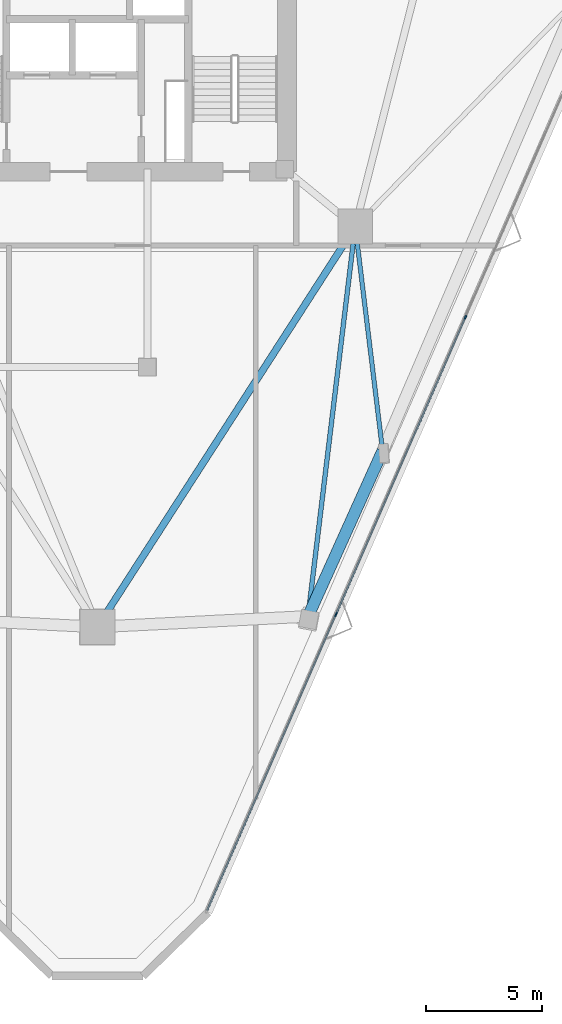
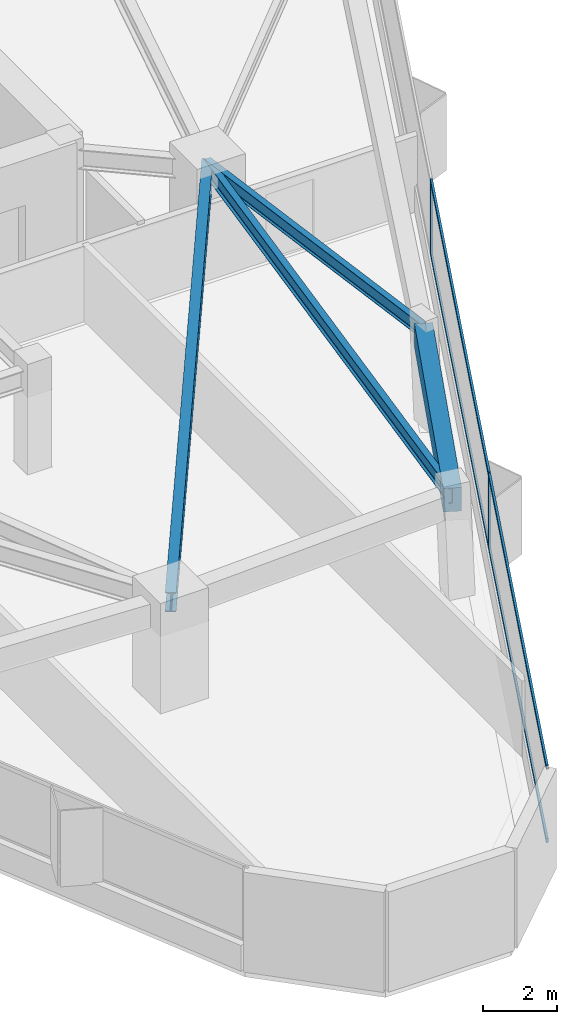
# One storey, part 4 of 13: 6 members, 4 beams, 1 element without a shape of its own.
"""IFC4 building model written with IfcOpenShell, lengths in metres."""

import ifcopenshell
import ifcopenshell.guid

model = None  # the IFC model being written
_history = None  # IfcOwnerHistory: only IFC2X3 demands one
_inside = {}  # id of a spatial element -> (the spatial element, [elements in it])
_under = {}  # id of a project, library or spatial element -> (it, [spatial elements below it])
_declared = {}  # id of a project -> (the project, [libraries it declares])
_typed = {}  # id of a type object -> (the type object, [elements of that type])
_made_of = {}  # id of a material, layer set ... -> (it, [elements and type objects made of it])


def new_model(schema):
    """Start an empty IFC model of exactly this schema.

    Asked for "IFC4X3", IfcOpenShell would pick the latest addendum, in which some entities
    have other attributes; the version numbers below select the first issue.
    IFC2X3 requires an IfcOwnerHistory on every rooted entity: one is made here for all.
    """
    global model, _history
    if schema == "IFC4X3":
        model = ifcopenshell.file(schema_version=(4, 3, 0, 0))
    else:
        model = ifcopenshell.file(schema=schema)
    _inside.clear()
    _under.clear()
    _declared.clear()
    _typed.clear()
    _made_of.clear()
    _history = None
    if model.schema == "IFC2X3":
        org = make("IfcOrganization", Name="unknown")
        user = make(
            "IfcPersonAndOrganization",
            ThePerson=make("IfcPerson", FamilyName="unknown"),
            TheOrganization=org,
        )
        app = make(
            "IfcApplication",
            ApplicationDeveloper=org,
            Version="unknown",
            ApplicationFullName="unknown",
            ApplicationIdentifier="unknown",
        )
        _history = make(
            "IfcOwnerHistory",
            OwningUser=user,
            OwningApplication=app,
            ChangeAction="ADDED",
            CreationDate=0,
        )
    return model


def make(cls, **values):
    """One entity of the class cls with the attributes given. An attribute that is None is left unset."""
    return model.create_entity(
        cls, **{name: value for name, value in values.items() if value is not None}
    )


def rooted(cls, **values):
    """An entity with a GlobalId (a new one), such as an element, a storey or a relation."""
    return make(cls, GlobalId=ifcopenshell.guid.new(), OwnerHistory=_history, **values)


def si_unit(unit_type, name, prefix=None):
    """IfcSIUnit, for example si_unit("LENGTHUNIT", "METRE", prefix="MILLI")."""
    return make("IfcSIUnit", UnitType=unit_type, Prefix=prefix, Name=name)


def assignment(units):
    """IfcUnitAssignment: the units of a project."""
    return None if units is None else make("IfcUnitAssignment", Units=units)


def point(xyz):
    """IfcCartesianPoint."""
    return None if xyz is None else make("IfcCartesianPoint", Coordinates=xyz)


def direction(xyz):
    """IfcDirection."""
    return None if xyz is None else make("IfcDirection", DirectionRatios=xyz)


def frame(location, z_axis=None, x_axis=None):
    """IfcAxis2Placement3D, a coordinate frame: its origin and axes. An axis left out is left unset."""
    return make(
        "IfcAxis2Placement3D",
        Location=point(location),
        Axis=direction(z_axis),
        RefDirection=direction(x_axis),
    )


def frame_2d(location, x_axis=None):
    """IfcAxis2Placement2D, a coordinate frame in the plane: its origin and x axis."""
    return make(
        "IfcAxis2Placement2D", Location=point(location), RefDirection=direction(x_axis)
    )


def origin():
    """The frame at (0, 0, 0) with its axes left unset."""
    return frame((0.0, 0.0, 0.0))


def origin_2d():
    """The frame at (0, 0) in the plane with its x axis left unset."""
    return frame_2d((0.0, 0.0))


def place(relative_to, where):
    """IfcLocalPlacement: puts the frame where relative to a parent placement (None: the world)."""
    return make(
        "IfcLocalPlacement", PlacementRelTo=relative_to, RelativePlacement=where
    )


def context(
    kind, dimensions, precision=None, world=None, true_north=None, identifier=None
):
    """IfcGeometricRepresentationContext, for example the 3D "Model" context."""
    return make(
        "IfcGeometricRepresentationContext",
        ContextIdentifier=identifier,
        ContextType=kind,
        CoordinateSpaceDimension=dimensions,
        Precision=precision,
        WorldCoordinateSystem=world,
        TrueNorth=true_north,
    )


def subcontext(parent, identifier, kind, view, scale=None):
    """IfcGeometricRepresentationSubContext, for example "Body" below "Model"."""
    return make(
        "IfcGeometricRepresentationSubContext",
        ContextIdentifier=identifier,
        ContextType=kind,
        ParentContext=parent,
        TargetScale=scale,
        TargetView=view,
    )


def project(units=None, contexts=None):
    """IfcProject with its units and contexts."""
    return rooted(
        "IfcProject",
        Name="project",
        RepresentationContexts=contexts,
        UnitsInContext=assignment(units),
    )


def spatial(cls, under=None, at=None, **own):
    """A site, building, storey or space (cls), placed at a placement, below another one or the project."""
    s = rooted(cls, ObjectPlacement=at, **own)
    if under is not None:
        _under.setdefault(under.id(), (under, []))[1].append(s)
    return s


def profile(cls, at=None, kind="AREA", **sizes):
    """A parametric profile (cls). Its sizes go by their IFC names, for example OverallWidth=200.0."""
    return make(cls, ProfileType=kind, Position=at, **sizes)


def rectangle(**sizes):
    """IfcRectangleProfileDef."""
    return profile("IfcRectangleProfileDef", **sizes)


def i_section(**sizes):
    """IfcIShapeProfileDef."""
    return profile("IfcIShapeProfileDef", **sizes)


def extrude(swept, where, along, depth):
    """IfcExtrudedAreaSolid: the profile swept, set in the frame where, extruded along a direction by depth."""
    return make(
        "IfcExtrudedAreaSolid",
        SweptArea=swept,
        Position=where,
        ExtrudedDirection=direction(along),
        Depth=depth,
    )


def shape(context_of_items, identifier, shape_type, items):
    """IfcShapeRepresentation: the items that make up one representation, for example the "Body"."""
    return make(
        "IfcShapeRepresentation",
        ContextOfItems=context_of_items,
        RepresentationIdentifier=identifier,
        RepresentationType=shape_type,
        Items=items,
    )


def material(Name=None, Category=None):
    """IfcMaterial."""
    return make("IfcMaterial", Name=Name, Category=Category)


def layer(
    of_material, thickness, ventilated=None, Name=None, Category=None, Priority=None
):
    """IfcMaterialLayer: one layer of a wall or slab, of a material (None: an air gap)."""
    return make(
        "IfcMaterialLayer",
        Material=of_material,
        LayerThickness=thickness,
        IsVentilated=ventilated,
        Name=Name,
        Category=Category,
        Priority=Priority,
    )


def layer_set(layers, Name=None):
    """IfcMaterialLayerSet."""
    return make("IfcMaterialLayerSet", MaterialLayers=layers, LayerSetName=Name)


def material_profile(
    of_material, cross_section, Name=None, Category=None, Priority=None
):
    """IfcMaterialProfile: a cross section and its material."""
    return make(
        "IfcMaterialProfile",
        Name=Name,
        Material=of_material,
        Profile=cross_section,
        Priority=Priority,
        Category=Category,
    )


def profile_set(profiles, Name=None, composite=None):
    """IfcMaterialProfileSet."""
    return make(
        "IfcMaterialProfileSet",
        Name=Name,
        MaterialProfiles=profiles,
        CompositeProfile=composite,
    )


def made_of(thing, what):
    """Note that an element or type object is made of a material, layer set ...; save() writes the relation."""
    if what is not None:
        _made_of.setdefault(what.id(), (what, []))[1].append(thing)
    return thing


def type_object(cls, material=None, **own):
    """A type object (cls), such as IfcWallType, which elements share."""
    return made_of(rooted(cls, **own), material)


def element(
    cls,
    number,
    at=None,
    inside=None,
    cuts=None,
    type_object=None,
    material=None,
    context=None,
    identifier="Body",
    shape_type=None,
    held_by="IfcProductDefinitionShape",
    body=None,
    shapes=None,
    **own,
):
    """One element of the class cls, such as IfcWall. Its Tag is "e" and its number.

    at: its placement. inside: the storey or other place that contains it. cuts: it is an
    opening in that element (IfcRelVoidsElement). A single representation is given by context,
    identifier, shape_type and body (its items); several are given by shapes. held_by: the class
    of the entity that holds the representations. save() writes the other relations.
    """
    e = rooted(cls, Tag="e%d" % number, ObjectPlacement=at, **own)
    if body is not None:
        shapes = [shape(context, identifier, shape_type, body)]
    if shapes is not None:
        e.Representation = make(held_by, Representations=shapes)
    if inside is not None:
        _inside.setdefault(inside.id(), (inside, []))[1].append(e)
    if cuts is not None:
        rooted(
            "IfcRelVoidsElement", RelatingBuildingElement=cuts, RelatedOpeningElement=e
        )
    if type_object is not None:
        _typed.setdefault(type_object.id(), (type_object, []))[1].append(e)
    return made_of(e, material)


def aggregate(whole, parts):
    """IfcRelAggregates: a whole, such as a stair, and the parts it consists of."""
    return rooted("IfcRelAggregates", RelatingObject=whole, RelatedObjects=parts)


def save(model, path):
    """Write the relations noted so far, then the file.

    IfcRelAggregates (storeys below a building ...), IfcRelContainedInSpatialStructure (elements
    in a storey), IfcRelDefinesByType, IfcRelAssociatesMaterial and IfcRelDeclares: one each for
    every whole, place, type object, material and project.
    """
    for whole, parts in _under.values():
        aggregate(whole, parts)
    for where, things in _inside.values():
        rooted(
            "IfcRelContainedInSpatialStructure",
            RelatedElements=things,
            RelatingStructure=where,
        )
    for kind, things in _typed.values():
        rooted("IfcRelDefinesByType", RelatedObjects=things, RelatingType=kind)
    for what, things in _made_of.values():
        rooted("IfcRelAssociatesMaterial", RelatedObjects=things, RelatingMaterial=what)
    for by, libraries in _declared.values():
        rooted("IfcRelDeclares", RelatingContext=by, RelatedDefinitions=libraries)
    model.write(path)


model = new_model("IFC4")

# Units and contexts
model_context = context("Model", 3, precision=1e-05, world=origin(), true_north=direction((0.0, 1.0)))
body_context = subcontext(model_context, "Body", "Model", "MODEL_VIEW")
ifc_project = project(units=[si_unit("LENGTHUNIT", "METRE"), si_unit("AREAUNIT", "SQUARE_METRE"), si_unit("VOLUMEUNIT", "CUBIC_METRE"), si_unit("PLANEANGLEUNIT", "RADIAN"), si_unit("MASSUNIT", "GRAM", prefix="KILO")], contexts=[model_context])

# Site, building, storey
site_placement = place(None, origin())
site = spatial("IfcSite", under=ifc_project, at=site_placement, CompositionType="ELEMENT")
building_placement = place(site_placement, origin())
building = spatial("IfcBuilding", under=site, at=building_placement, Name="Talyreon Biosciences Tower", CompositionType="ELEMENT")
storey_placement = place(building_placement, frame((0.0, 0.0, 167.35009765625)))
storey = spatial("IfcBuildingStorey", under=building, at=storey_placement, Name="L44", CompositionType="ELEMENT", Elevation=167.35009765625)

# Curtain wall, members
ifc_material_1 = material(Name="Thermally broken aluminium and low-E glazing", Category="aluminium")
ifc_layer = layer(ifc_material_1, 0.18505859375)
ifc_layer_set = layer_set([ifc_layer], Name="Thermally broken aluminium and low-E glazing")
curtain_wall_type = type_object("IfcCurtainWallType", Name="CurtainWall_Zone3Bioprocess", PredefinedType="NOTDEFINED", material=ifc_layer_set)
curtain_wall_placement = place(storey_placement, origin())
curtain_wall = element("IfcCurtainWall", 1, at=curtain_wall_placement, inside=storey, type_object=curtain_wall_type, Name="L44 Unitised Curtain Wall FCW-L44-08", PredefinedType="NOTDEFINED")
ifc_material_2 = material(Name="Anodised thermally broken aluminium", Category="aluminium")
ifc_material_profile_1 = material_profile(ifc_material_2, rectangle(XDim=0.06494140625, YDim=0.179931640625, at=origin_2d()), Name="ALUM MULLION 65x180")
ifc_profile_set_1 = profile_set([ifc_material_profile_1], Name="Anodised thermally broken aluminium")
member_type_1 = type_object("IfcMemberType", Name="CWMullion_65x180", PredefinedType="MULLION", material=ifc_profile_set_1)
member_1_placement = place(storey_placement, frame((81.824951171875, 54.984375, 0.809814453125), z_axis=(0.0, 0.0, 1.0), x_axis=(0.916820215501, -0.399300253505, 0.0)))
member_1 = element("IfcMember", 2, at=member_1_placement, type_object=member_type_1, Name="CW4 mullion 3", PredefinedType="MULLION", context=body_context, shape_type="SweptSolid", body=[
    extrude(rectangle(XDim=0.06494140625, YDim=0.179931640625, at=origin_2d()), origin(), (0.0, 0.0, 1.0), 2.489990234375),
])
member_2_placement = place(storey_placement, frame((76.259521484375, 42.205810546875, 0.809814453125), z_axis=(0.0, 0.0, 1.0), x_axis=(0.916820215501, -0.399300253505, 0.0)))
member_2 = element("IfcMember", 3, at=member_2_placement, type_object=member_type_1, Name="CW4 mullion 4", PredefinedType="MULLION", context=body_context, shape_type="SweptSolid", body=[
    extrude(rectangle(XDim=0.06494140625, YDim=0.179931640625, at=origin_2d()), origin(), (0.0, 0.0, 1.0), 2.489990234375),
])
ifc_material_profile_2 = material_profile(ifc_material_2, rectangle(XDim=0.06494140625, YDim=0.139892578125, at=origin_2d()), Name="ALUM TRANSOM 65x140")
ifc_profile_set_2 = profile_set([ifc_material_profile_2], Name="Anodised thermally broken aluminium")
member_type_2 = type_object("IfcMemberType", Name="CWTransom_65x140", PredefinedType="USERDEFINED", material=ifc_profile_set_2)
member_3_placement = place(storey_placement, frame((81.81201171875, 54.95458984375, 0.84228515625), z_axis=(-0.399305180689, -0.916818069562, 0.0), x_axis=(0.916818069562, -0.399305180689, 0.0)))
member_3 = element("IfcMember", 4, at=member_3_placement, type_object=member_type_2, Name="CW4 transom 3.1", ObjectType="TRANSOM", PredefinedType="USERDEFINED", context=body_context, shape_type="SweptSolid", body=[
    extrude(rectangle(XDim=0.06494140625, YDim=0.139892578125, at=origin_2d()), origin(), (0.0, 0.0, 1.0), 13.873046875),
])
member_4_placement = place(storey_placement, frame((81.81201171875, 54.95458984375, 3.267333984375), z_axis=(-0.399305180689, -0.916818069562, 0.0), x_axis=(0.916818069562, -0.399305180689, 0.0)))
member_4 = element("IfcMember", 5, at=member_4_placement, type_object=member_type_2, Name="CW4 transom 3.2", ObjectType="TRANSOM", PredefinedType="USERDEFINED", context=body_context, shape_type="SweptSolid", body=[
    extrude(rectangle(XDim=0.06494140625, YDim=0.139892578125, at=origin_2d()), origin(), (0.0, 0.0, 1.0), 13.873046875),
])
member_5_placement = place(storey_placement, frame((76.24658203125, 42.176025390625, 0.84228515625), z_axis=(-0.399298814497, -0.916820842227, 0.0), x_axis=(0.916820842227, -0.399298814497, 0.0)))
member_5 = element("IfcMember", 6, at=member_5_placement, type_object=member_type_2, Name="CW4 transom 4.1", ObjectType="TRANSOM", PredefinedType="USERDEFINED", context=body_context, shape_type="SweptSolid", body=[
    extrude(rectangle(XDim=0.06494140625, YDim=0.139892578125, at=origin_2d()), origin(), (0.0, 0.0, 1.0), 13.840087890625),
])
member_6_placement = place(storey_placement, frame((76.24658203125, 42.176025390625, 3.267333984375), z_axis=(-0.399298814497, -0.916820842227, 0.0), x_axis=(0.916820842227, -0.399298814497, 0.0)))
member_6 = element("IfcMember", 7, at=member_6_placement, type_object=member_type_2, Name="CW4 transom 4.2", ObjectType="TRANSOM", PredefinedType="USERDEFINED", context=body_context, shape_type="SweptSolid", body=[
    extrude(rectangle(XDim=0.06494140625, YDim=0.139892578125, at=origin_2d()), origin(), (0.0, 0.0, 1.0), 13.840087890625),
])
aggregate(curtain_wall, [member_1, member_2, member_3, member_4, member_5, member_6])

# Beams
ifc_material_3 = material(Name="Precast concrete C45/55", Category="concrete")
ifc_material_profile_3 = material_profile(ifc_material_3, rectangle(XDim=0.5, YDim=0.780029296875, at=origin_2d()), Name="RCB 500x780")
ifc_profile_set_3 = profile_set([ifc_material_profile_3], Name="Precast concrete C45/55")
beam_type_1 = type_object("IfcBeamType", Name="ExpressedSpandrel_500x780", PredefinedType="SPANDREL", material=ifc_profile_set_3)
beam_1_placement = place(storey_placement, frame((75.055908203125, 42.1220703125, 2.909912109375), z_axis=(0.411010922024, 0.91163041962, 0.0), x_axis=(-0.91163041962, 0.411010922024, 0.0)))
element("IfcBeam", 8, at=beam_1_placement, inside=storey, type_object=beam_type_1, Name="L44 Expressed Horizontal Concrete Spandrel 02", PredefinedType="SPANDREL", context=body_context, shape_type="SweptSolid", body=[
    extrude(rectangle(XDim=0.5, YDim=0.780029296875, at=origin_2d()), origin(), (0.0, 0.0, 1.0), 7.8056640625),
])
ifc_material_4 = material(Name="Steel SM355", Category="steel")
ifc_material_profile_4 = material_profile(ifc_material_4, i_section(OverallWidth=0.300048828125, OverallDepth=0.64990234375, WebThickness=0.01611328125, FlangeThickness=0.031005859375, FilletRadius=0.027099609375, at=origin_2d()), Name="HE650B")
ifc_profile_set_4 = profile_set([ifc_material_profile_4], Name="Steel SM355")
beam_type_2 = type_object("IfcBeamType", Name="SteelBeam_HE650B", PredefinedType="BEAM", material=ifc_profile_set_4)
beam_2_placement = place(storey_placement, frame((66.0, 41.6669921875, 2.974853515625), z_axis=(0.541463723609, 0.840724114092, 0.0), x_axis=(-0.840724114092, 0.541463723609, 0.0)))
element("IfcBeam", 9, at=beam_2_placement, inside=storey, type_object=beam_type_2, Name="L44 Mega-Ring Girder 1", PredefinedType="BEAM", context=body_context, shape_type="SweptSolid", body=[
    extrude(i_section(OverallWidth=0.300048828125, OverallDepth=0.64990234375, WebThickness=0.01611328125, FlangeThickness=0.031005859375, FilletRadius=0.027099609375, at=origin_2d()), origin(), (0.0, 0.0, 1.0), 20.474365234375),
])
ifc_material_profile_5 = material_profile(ifc_material_4, i_section(OverallWidth=0.18994140625, OverallDepth=0.449951171875, WebThickness=0.009521484375, FlangeThickness=0.0146484375, FilletRadius=0.02099609375, at=origin_2d()), Name="IPE450")
ifc_profile_set_5 = profile_set([ifc_material_profile_5], Name="Steel SM355")
beam_type_3 = type_object("IfcBeamType", Name="SteelJoist_IPE450", PredefinedType="JOIST", material=ifc_profile_set_5)
beam_3_placement = place(storey_placement, frame((77.086181640625, 58.88037109375, 3.074951171875), z_axis=(0.121265776862, -0.992620074027, 0.0), x_axis=(0.992620074027, 0.121265776862, 0.0)))
element("IfcBeam", 10, at=beam_3_placement, inside=storey, type_object=beam_type_3, Name="L44 Radial Composite Floor Joist PL-SE", PredefinedType="JOIST", context=body_context, shape_type="SweptSolid", body=[
    extrude(i_section(OverallWidth=0.18994140625, OverallDepth=0.449951171875, WebThickness=0.009521484375, FlangeThickness=0.0146484375, FilletRadius=0.02099609375, at=origin_2d()), origin(), (0.0, 0.0, 1.0), 9.714111328125),
])
ifc_material_profile_6 = material_profile(ifc_material_4, i_section(OverallWidth=0.199951171875, OverallDepth=0.5, WebThickness=0.01025390625, FlangeThickness=0.01611328125, FilletRadius=0.02099609375, at=origin_2d()), Name="IPE500")
ifc_profile_set_6 = profile_set([ifc_material_profile_6], Name="Steel SM355")
beam_type_4 = type_object("IfcBeamType", Name="SteelJoist_IPE500", PredefinedType="JOIST", material=ifc_profile_set_6)
beam_4_placement = place(storey_placement, frame((77.086181640625, 58.88037109375, 3.0498046875), z_axis=(-0.120270899272, -0.99274110965, 0.0), x_axis=(0.99274110965, -0.120270899272, 0.0)))
element("IfcBeam", 11, at=beam_4_placement, inside=storey, type_object=beam_type_4, Name="L44 Radial Composite Floor Joist PC-SE1", PredefinedType="JOIST", context=body_context, shape_type="SweptSolid", body=[
    extrude(i_section(OverallWidth=0.199951171875, OverallDepth=0.5, WebThickness=0.01025390625, FlangeThickness=0.01611328125, FilletRadius=0.02099609375, at=origin_2d()), origin(), (0.0, 0.0, 1.0), 16.880859375),
])

save(model, "model.ifc")
